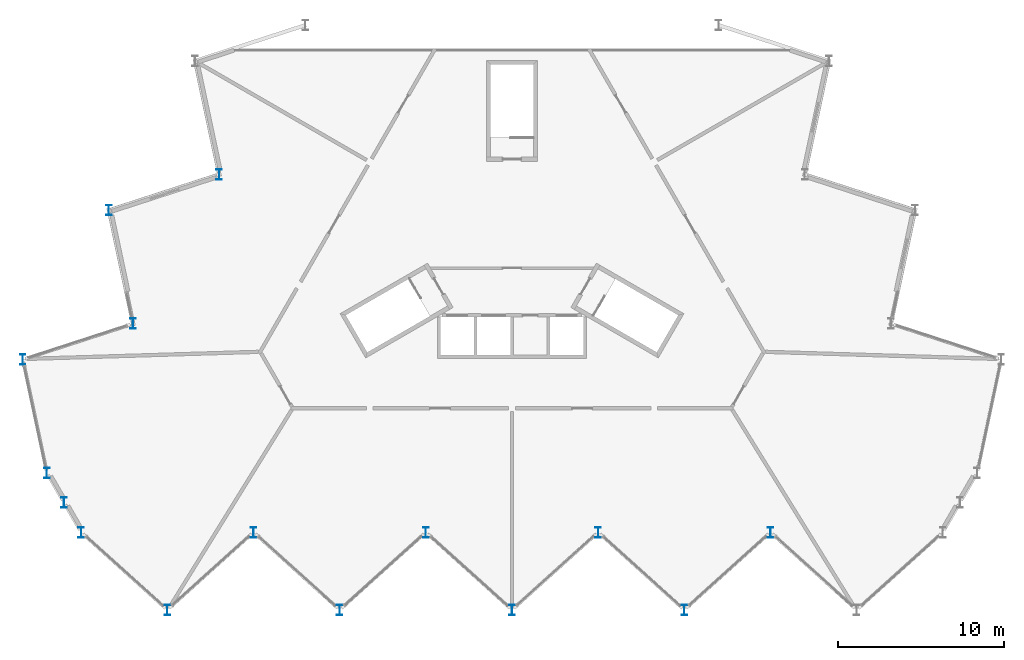
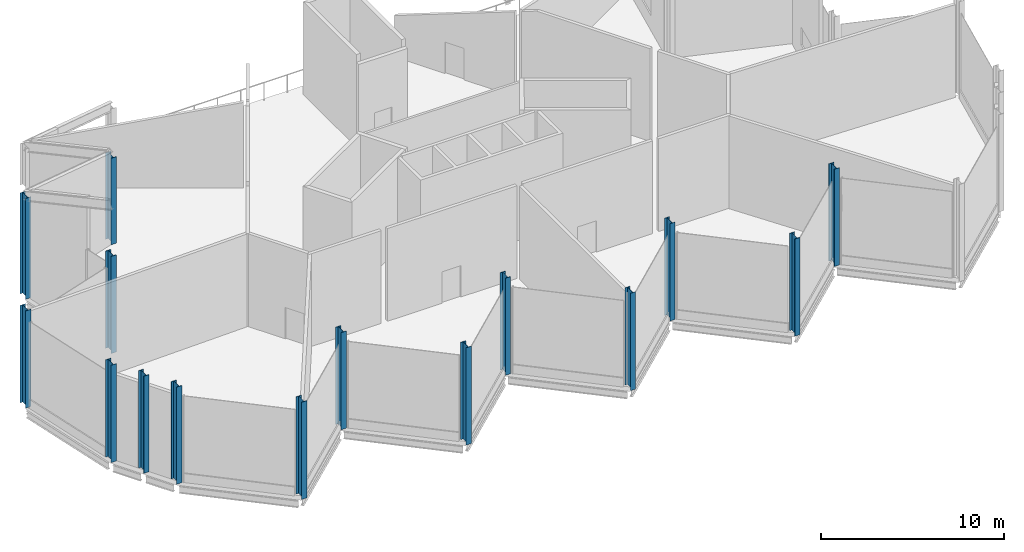
# One storey, part 1 of 10: 15 columns.
"""IFC4 building model written with IfcOpenShell, lengths in metres."""

from ifc_helpers import new_model, si_unit, direction, frame, origin, origin_2d, place, context, subcontext, project, spatial, i_section, extrude, material, material_profile, profile_set, type_object, element, save


model = new_model("IFC4")

# Units and contexts
model_context = context("Model", 3, precision=1e-05, world=origin(), true_north=direction((0.0, 1.0)))
body_context = subcontext(model_context, "Body", "Model", "MODEL_VIEW")
ifc_project = project(units=[si_unit("LENGTHUNIT", "METRE"), si_unit("AREAUNIT", "SQUARE_METRE"), si_unit("VOLUMEUNIT", "CUBIC_METRE"), si_unit("PLANEANGLEUNIT", "RADIAN"), si_unit("MASSUNIT", "GRAM", prefix="KILO")], contexts=[model_context])

# Site, building, storey
site_placement = place(None, origin())
site = spatial("IfcSite", under=ifc_project, at=site_placement, CompositionType="ELEMENT")
building_placement = place(site_placement, origin())
building = spatial("IfcBuilding", under=site, at=building_placement, Name="Cormorant Prow Tower", CompositionType="ELEMENT")
storey_placement = place(building_placement, frame((0.0, 0.0, 441.199951171875)))
storey = spatial("IfcBuildingStorey", under=building, at=storey_placement, Name="L98", CompositionType="ELEMENT", Elevation=441.199951171875)

# Columns
ifc_material = material(Name="Structural steel ASTM A992 Gr 50", Category="steel")
ifc_material_profile = material_profile(ifc_material, i_section(OverallWidth=0.326416015625, OverallDepth=0.621826171875, WebThickness=0.015380859375, FlangeThickness=0.0244140625, at=origin_2d()), Name="W24x131")
ifc_profile_set = profile_set([ifc_material_profile], Name="Structural steel ASTM A992 Gr 50")
column_type = type_object("IfcColumnType", Name="Crown frame column W24x131", PredefinedType="COLUMN", material=ifc_profile_set)
for number, where, z_axis, x_axis, name in (
    (1, (-26.0, -17.40576171875, 0.0), (0.0, 0.0, 1.0), (1.0, 0.0, 0.0), "Crown frame column at S00 L98"),
    (2, (-20.800048828125, -22.087890625, 0.0), (0.0, 0.0, 1.0), (1.0, 0.0, 0.0), "Crown frame column at S01 L98"),
    (3, (-15.60009765625, -17.40576171875, 0.0), (0.0, 0.0, 1.0), (1.0, 0.0, 0.0), "Crown frame column at S02 L98"),
    (4, (-10.39990234375, -22.087890625, 0.0), (0.0, 0.0, 1.0), (1.0, 0.0, 0.0), "Crown frame column at S03 L98"),
    (5, (-5.199951171875, -17.40576171875, 0.0), (0.0, 0.0, 1.0), (1.0, 0.0, 0.0), "Crown frame column at S04 L98"),
    (6, (0.0, -22.087890625, 0.0), (0.0, 0.0, 1.0), (1.0, 0.0, 0.0), "Crown frame column at S05 L98"),
    (7, (5.199951171875, -17.40576171875, 0.0), (0.0, 0.0, 1.0), (1.0, 0.0, 0.0), "Crown frame column at S06 L98"),
    (8, (10.39990234375, -22.087890625, 0.0), (0.0, 0.0, 1.0), (1.0, 0.0, 0.0), "Crown frame column at S07 L98"),
    (9, (15.60009765625, -17.40576171875, 0.0), (0.0, 0.0, 1.0), (1.0, 0.0, 0.0), "Crown frame column at S08 L98"),
):
    element("IfcColumn", number, at=place(storey_placement, frame(where, z_axis=z_axis, x_axis=x_axis)), inside=storey, type_object=column_type, Name=name, PredefinedType="COLUMN", context=body_context, shape_type="SweptSolid", body=[
        extrude(i_section(OverallWidth=0.326416015625, OverallDepth=0.621826171875, WebThickness=0.015380859375, FlangeThickness=0.0244140625, at=origin_2d()), origin(), (0.0, 0.0, 1.0), 6.5),
    ])
column_1_placement = place(storey_placement, frame((-17.673828125, 4.199462890625, 0.0), z_axis=(0.0, 0.0, 1.0), x_axis=(1.0, 0.0, 0.0)))
element("IfcColumn", 10, at=column_1_placement, inside=storey, type_object=column_type, Name="Crown frame column at WNW06 L98", PredefinedType="COLUMN", context=body_context, shape_type="SweptSolid", body=[
    extrude(i_section(OverallWidth=0.326416015625, OverallDepth=0.621826171875, WebThickness=0.015380859375, FlangeThickness=0.0244140625, at=origin_2d()), origin(), (0.0, 0.0, 1.0), 5.78271484375),
])
column_2_placement = place(storey_placement, frame((-24.32861328125, 2.037353515625, 0.0), z_axis=(0.0, 0.0, 1.0), x_axis=(1.0, 0.0, 0.0)))
element("IfcColumn", 11, at=column_2_placement, inside=storey, type_object=column_type, Name="Crown frame column at WNW07 L98", PredefinedType="COLUMN", context=body_context, shape_type="SweptSolid", body=[
    extrude(i_section(OverallWidth=0.326416015625, OverallDepth=0.621826171875, WebThickness=0.015380859375, FlangeThickness=0.0244140625, at=origin_2d()), origin(), (0.0, 0.0, 1.0), 6.739990234375),
])
for number, where, z_axis, x_axis, name in (
    (12, (-22.873779296875, -4.80712890625, 0.0), (0.0, 0.0, 1.0), (1.0, 0.0, 0.0), "Crown frame column at WNW08 L98"),
    (13, (-29.528564453125, -6.969482421875, 0.0), (0.0, 0.0, 1.0), (1.0, 0.0, 0.0), "Crown frame column at WNW09 L98"),
    (14, (-28.07373046875, -13.813720703125, 0.0), (0.0, 0.0, 1.0), (1.0, 0.0, 0.0), "Crown frame column at WSW00 L98"),
    (15, (-27.036865234375, -15.60986328125, 0.0), (0.0, 0.0, 1.0), (1.0, 0.0, 0.0), "Crown frame column at WSW01 L98"),
):
    element("IfcColumn", number, at=place(storey_placement, frame(where, z_axis=z_axis, x_axis=x_axis)), inside=storey, type_object=column_type, Name=name, PredefinedType="COLUMN", context=body_context, shape_type="SweptSolid", body=[
        extrude(i_section(OverallWidth=0.326416015625, OverallDepth=0.621826171875, WebThickness=0.015380859375, FlangeThickness=0.0244140625, at=origin_2d()), origin(), (0.0, 0.0, 1.0), 6.5),
    ])

save(model, "model.ifc")
